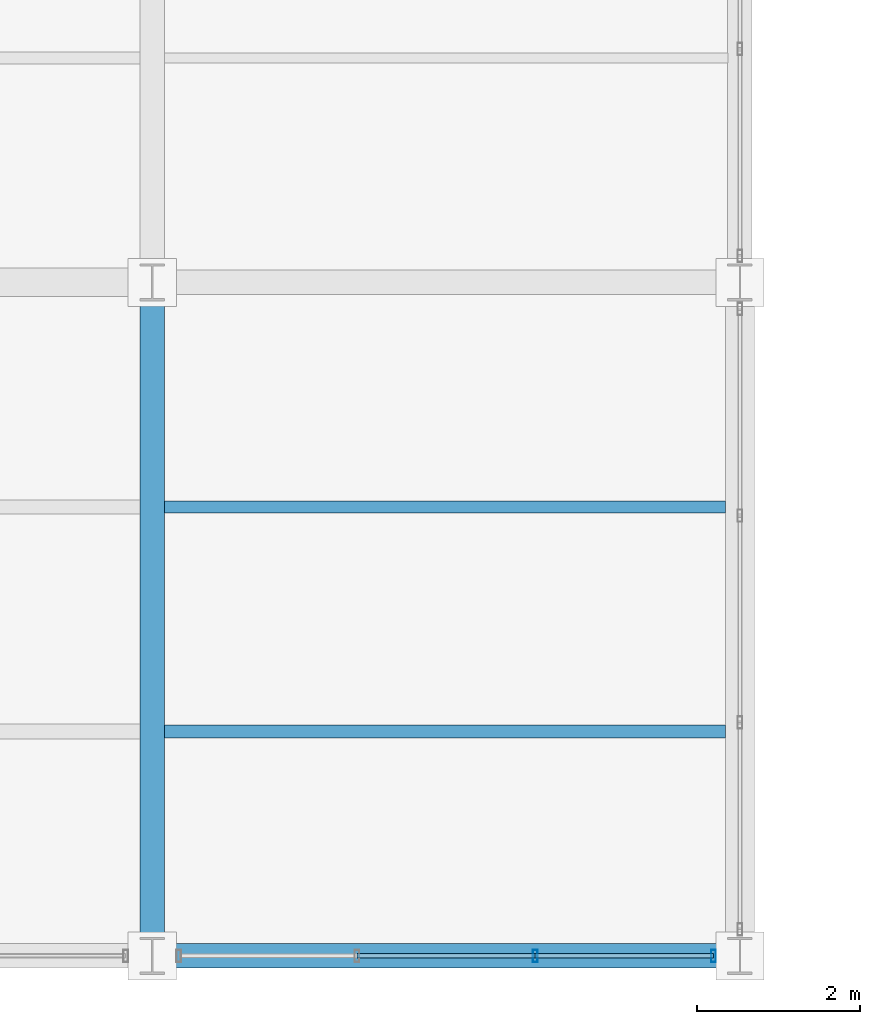
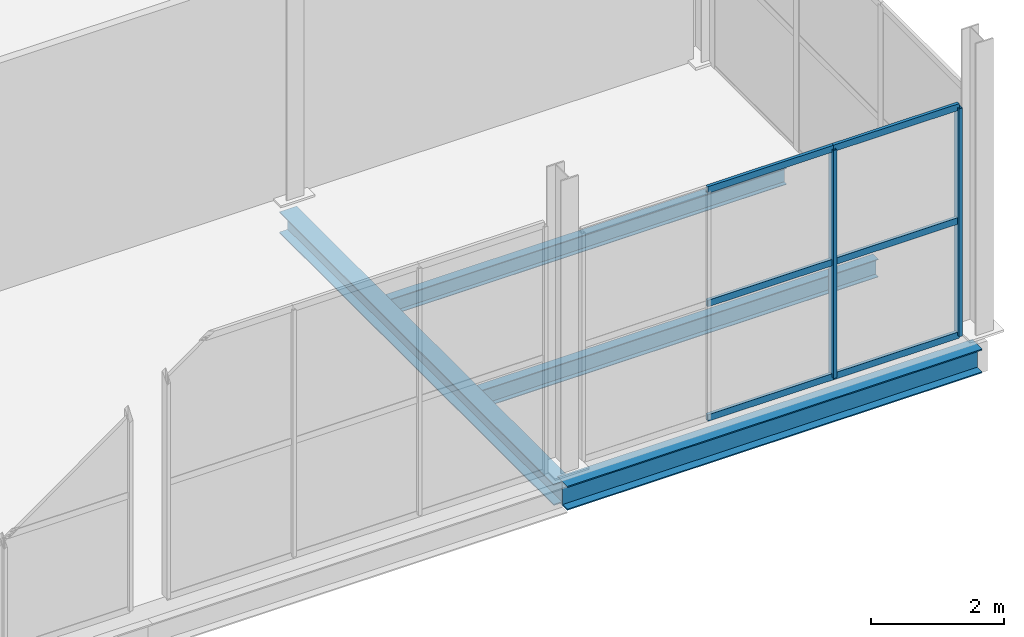
# One storey, part 80 of 147: 8 members, 4 beams, 1 element without a shape of its own.
"""IFC4 building model written with IfcOpenShell, lengths in metres."""

from ifc_helpers import new_model, si_unit, direction, frame, origin, origin_2d, place, context, subcontext, project, spatial, hollow_rectangle, i_section, extrude, material, layer, layer_set, material_profile, profile_set, type_object, element, aggregate, save


model = new_model("IFC4")

# Units and contexts
model_context = context("Model", 3, precision=1e-05, world=origin(), true_north=direction((0.0, 1.0)))
body_context = subcontext(model_context, "Body", "Model", "MODEL_VIEW")
ifc_project = project(units=[si_unit("LENGTHUNIT", "METRE"), si_unit("AREAUNIT", "SQUARE_METRE"), si_unit("VOLUMEUNIT", "CUBIC_METRE"), si_unit("PLANEANGLEUNIT", "RADIAN"), si_unit("MASSUNIT", "GRAM", prefix="KILO")], contexts=[model_context])

# Site, building, storey
site_placement = place(None, origin())
site = spatial("IfcSite", under=ifc_project, at=site_placement, CompositionType="ELEMENT")
building_placement = place(site_placement, origin())
building = spatial("IfcBuilding", under=site, at=building_placement, Name="Sundgate Opera House", CompositionType="ELEMENT")
storey_placement = place(building_placement, frame((0.0, 0.0, 6.0)))
storey = spatial("IfcBuildingStorey", under=building, at=storey_placement, Name="L01", CompositionType="ELEMENT", Elevation=6.0)

# Beams
ifc_material_1 = material(Name="Steel S355J2", Category="steel")
ifc_material_profile_1 = material_profile(ifc_material_1, i_section(OverallWidth=0.300048828125, OverallDepth=0.389892578125, WebThickness=0.010986328125, FlangeThickness=0.01904296875, at=origin_2d()), Name="HEA 400")
ifc_profile_set_1 = profile_set([ifc_material_profile_1], Name="Steel S355J2")
beam_type_1 = type_object("IfcBeamType", Name="BM-GR-HEA400", PredefinedType="BEAM", material=ifc_profile_set_1)
beam_1_placement = place(storey_placement, frame((153.0, 0.0, -0.4951171875), z_axis=(0.0, 1.0, 0.0), x_axis=(-1.0, 0.0, 0.0)))
element("IfcBeam", 1, at=beam_1_placement, inside=storey, type_object=beam_type_1, Name="L01 Primary N-S Girder B1237", PredefinedType="BEAM", context=body_context, shape_type="SweptSolid", body=[
    extrude(i_section(OverallWidth=0.300048828125, OverallDepth=0.389892578125, WebThickness=0.010986328125, FlangeThickness=0.01904296875, at=origin_2d()), origin(), (0.0, 0.0, 1.0), 8.25),
])
ifc_material_2 = material(Name="Steel S355J2", Category="steel")
ifc_material_profile_2 = material_profile(ifc_material_2, i_section(OverallWidth=0.300048828125, OverallDepth=0.43994140625, WebThickness=0.011474609375, FlangeThickness=0.02099609375, at=origin_2d()), Name="HEA 450")
ifc_profile_set_2 = profile_set([ifc_material_profile_2], Name="Steel S355J2")
beam_type_2 = type_object("IfcBeamType", Name="BM-GR-HEA450", PredefinedType="BEAM", material=ifc_profile_set_2)
beam_2_placement = place(storey_placement, frame((153.0, 0.0, -0.52001953125), z_axis=(1.0, 0.0, 0.0), x_axis=(0.0, 1.0, 0.0)))
element("IfcBeam", 2, at=beam_2_placement, inside=storey, type_object=beam_type_2, Name="L01 Primary E-W Girder B1280", PredefinedType="BEAM", context=body_context, shape_type="SweptSolid", body=[
    extrude(i_section(OverallWidth=0.300048828125, OverallDepth=0.43994140625, WebThickness=0.011474609375, FlangeThickness=0.02099609375, at=origin_2d()), origin(), (0.0, 0.0, 1.0), 7.199951171875),
])
ifc_material_3 = material(Name="Steel S355J2", Category="steel")
ifc_material_profile_3 = material_profile(ifc_material_3, i_section(OverallWidth=0.14990234375, OverallDepth=0.300048828125, WebThickness=0.007080078125, FlangeThickness=0.0107421875, at=origin_2d()), Name="IPE 300")
ifc_profile_set_3 = profile_set([ifc_material_profile_3], Name="Steel S355J2")
beam_type_3 = type_object("IfcBeamType", Name="BM-JS-IPE300", PredefinedType="JOIST", material=ifc_profile_set_3)
beam_3_placement = place(storey_placement, frame((153.14990234375, 5.5, -0.449951171875), z_axis=(1.0, 0.0, 0.0), x_axis=(0.0, 1.0, 0.0)))
element("IfcBeam", 3, at=beam_3_placement, inside=storey, type_object=beam_type_3, Name="L01 Secondary Floor Joist B1495", PredefinedType="JOIST", context=body_context, shape_type="SweptSolid", body=[
    extrude(i_section(OverallWidth=0.14990234375, OverallDepth=0.300048828125, WebThickness=0.007080078125, FlangeThickness=0.0107421875, at=origin_2d()), origin(), (0.0, 0.0, 1.0), 6.875),
])
ifc_material_4 = material(Name="Steel S355J2", Category="steel")
ifc_material_profile_4 = material_profile(ifc_material_4, i_section(OverallWidth=0.159912109375, OverallDepth=0.330078125, WebThickness=0.007568359375, FlangeThickness=0.011474609375, at=origin_2d()), Name="IPE 330")
ifc_profile_set_4 = profile_set([ifc_material_profile_4], Name="Steel S355J2")
beam_type_4 = type_object("IfcBeamType", Name="BM-JS-IPE330", PredefinedType="JOIST", material=ifc_profile_set_4)
beam_4_placement = place(storey_placement, frame((153.14990234375, 2.75, -0.465087890625), z_axis=(1.0, 0.0, 0.0), x_axis=(0.0, 1.0, 0.0)))
element("IfcBeam", 4, at=beam_4_placement, inside=storey, type_object=beam_type_4, Name="L01 Secondary Floor Joist B1494", PredefinedType="JOIST", context=body_context, shape_type="SweptSolid", body=[
    extrude(i_section(OverallWidth=0.159912109375, OverallDepth=0.330078125, WebThickness=0.007568359375, FlangeThickness=0.011474609375, at=origin_2d()), origin(), (0.0, 0.0, 1.0), 6.875),
])

# Curtain wall, members
ifc_material_5 = material(Name="Anodized aluminium and low-iron glass", Category="aluminium")
ifc_layer = layer(ifc_material_5, 0.14990234375)
ifc_layer_set = layer_set([ifc_layer], Name="Anodized aluminium and low-iron glass")
curtain_wall_type = type_object("IfcCurtainWallType", Name="CW-WORKSHOP-DARK", PredefinedType="NOTDEFINED", material=ifc_layer_set)
curtain_wall_placement = place(storey_placement, origin())
curtain_wall = element("IfcCurtainWall", 5, at=curtain_wall_placement, inside=storey, type_object=curtain_wall_type, Name="L01 Curtain Wall CW143", PredefinedType="NOTDEFINED")
ifc_material_6 = material(Name="Anodized aluminium EN AW-6063", Category="aluminium")
ifc_material_profile_5 = material_profile(ifc_material_6, hollow_rectangle(XDim=0.06005859375, YDim=0.14990234375, WallThickness=0.00390625, at=origin_2d()), Name="CWM 150x60x4")
ifc_profile_set_5 = profile_set([ifc_material_profile_5], Name="Anodized aluminium EN AW-6063")
member_type_1 = type_object("IfcMemberType", Name="CWM-ALU-150x60", PredefinedType="MULLION", material=ifc_profile_set_5)
member_1_placement = place(storey_placement, frame((159.875, 0.0, 0.0), z_axis=(0.0, 0.0, 1.0), x_axis=(1.0, 0.0, 0.0)))
member_1 = element("IfcMember", 6, at=member_1_placement, type_object=member_type_1, Name="CW143 Mullion 1", PredefinedType="MULLION", context=body_context, shape_type="SweptSolid", body=[
    extrude(hollow_rectangle(XDim=0.06005859375, YDim=0.14990234375, WallThickness=0.00390625, at=origin_2d()), origin(), (0.0, 0.0, 1.0), 4.18505859375),
])
member_2_placement = place(storey_placement, frame((157.691650390625, 0.0, 0.0), z_axis=(0.0, 0.0, 1.0), x_axis=(1.0, 0.0, 0.0)))
member_2 = element("IfcMember", 7, at=member_2_placement, type_object=member_type_1, Name="CW143 Mullion 2", PredefinedType="MULLION", context=body_context, shape_type="SweptSolid", body=[
    extrude(hollow_rectangle(XDim=0.06005859375, YDim=0.14990234375, WallThickness=0.00390625, at=origin_2d()), origin(), (0.0, 0.0, 1.0), 4.18505859375),
])
ifc_material_7 = material(Name="Anodized aluminium EN AW-6063", Category="aluminium")
ifc_material_profile_6 = material_profile(ifc_material_7, hollow_rectangle(XDim=0.054931640625, YDim=0.1201171875, WallThickness=0.00390625, at=origin_2d()), Name="CWT 120x55x4")
ifc_profile_set_6 = profile_set([ifc_material_profile_6], Name="Anodized aluminium EN AW-6063")
member_type_2 = type_object("IfcMemberType", Name="CWT-ALU-120x55", PredefinedType="USERDEFINED", material=ifc_profile_set_6)
member_3_placement = place(storey_placement, frame((159.875, 0.0, 0.0), z_axis=(-1.0, 0.0, 0.0), x_axis=(0.0, -1.0, 0.0)))
member_3 = element("IfcMember", 8, at=member_3_placement, type_object=member_type_2, Name="CW143 Transom 1", ObjectType="TRANSOM", PredefinedType="USERDEFINED", context=body_context, shape_type="SweptSolid", body=[
    extrude(hollow_rectangle(XDim=0.054931640625, YDim=0.1201171875, WallThickness=0.00390625, at=origin_2d()), origin(), (0.0, 0.0, 1.0), 2.183349609375),
])
member_4_placement = place(storey_placement, frame((159.875, 0.0, 2.10009765625), z_axis=(-1.0, 0.0, 0.0), x_axis=(0.0, -1.0, 0.0)))
member_4 = element("IfcMember", 9, at=member_4_placement, type_object=member_type_2, Name="CW143 Transom 2", ObjectType="TRANSOM", PredefinedType="USERDEFINED", context=body_context, shape_type="SweptSolid", body=[
    extrude(hollow_rectangle(XDim=0.054931640625, YDim=0.1201171875, WallThickness=0.00390625, at=origin_2d()), origin(), (0.0, 0.0, 1.0), 2.183349609375),
])
member_5_placement = place(storey_placement, frame((159.875, 0.0, 4.18505859375), z_axis=(-1.0, 0.0, 0.0), x_axis=(0.0, -1.0, 0.0)))
member_5 = element("IfcMember", 10, at=member_5_placement, type_object=member_type_2, Name="CW143 Transom 3", ObjectType="TRANSOM", PredefinedType="USERDEFINED", context=body_context, shape_type="SweptSolid", body=[
    extrude(hollow_rectangle(XDim=0.054931640625, YDim=0.1201171875, WallThickness=0.00390625, at=origin_2d()), origin(), (0.0, 0.0, 1.0), 2.183349609375),
])
member_6_placement = place(storey_placement, frame((157.691650390625, 0.0, 0.0), z_axis=(-1.0, 0.0, 0.0), x_axis=(0.0, -1.0, 0.0)))
member_6 = element("IfcMember", 11, at=member_6_placement, type_object=member_type_2, Name="CW143 Transom 4", ObjectType="TRANSOM", PredefinedType="USERDEFINED", context=body_context, shape_type="SweptSolid", body=[
    extrude(hollow_rectangle(XDim=0.054931640625, YDim=0.1201171875, WallThickness=0.00390625, at=origin_2d()), origin(), (0.0, 0.0, 1.0), 2.183349609375),
])
member_7_placement = place(storey_placement, frame((157.691650390625, 0.0, 2.10009765625), z_axis=(-1.0, 0.0, 0.0), x_axis=(0.0, -1.0, 0.0)))
member_7 = element("IfcMember", 12, at=member_7_placement, type_object=member_type_2, Name="CW143 Transom 5", ObjectType="TRANSOM", PredefinedType="USERDEFINED", context=body_context, shape_type="SweptSolid", body=[
    extrude(hollow_rectangle(XDim=0.054931640625, YDim=0.1201171875, WallThickness=0.00390625, at=origin_2d()), origin(), (0.0, 0.0, 1.0), 2.183349609375),
])
member_8_placement = place(storey_placement, frame((157.691650390625, 0.0, 4.18505859375), z_axis=(-1.0, 0.0, 0.0), x_axis=(0.0, -1.0, 0.0)))
member_8 = element("IfcMember", 13, at=member_8_placement, type_object=member_type_2, Name="CW143 Transom 6", ObjectType="TRANSOM", PredefinedType="USERDEFINED", context=body_context, shape_type="SweptSolid", body=[
    extrude(hollow_rectangle(XDim=0.054931640625, YDim=0.1201171875, WallThickness=0.00390625, at=origin_2d()), origin(), (0.0, 0.0, 1.0), 2.183349609375),
])
aggregate(curtain_wall, [member_1, member_2, member_3, member_4, member_5, member_6, member_7, member_8])

save(model, "model.ifc")
